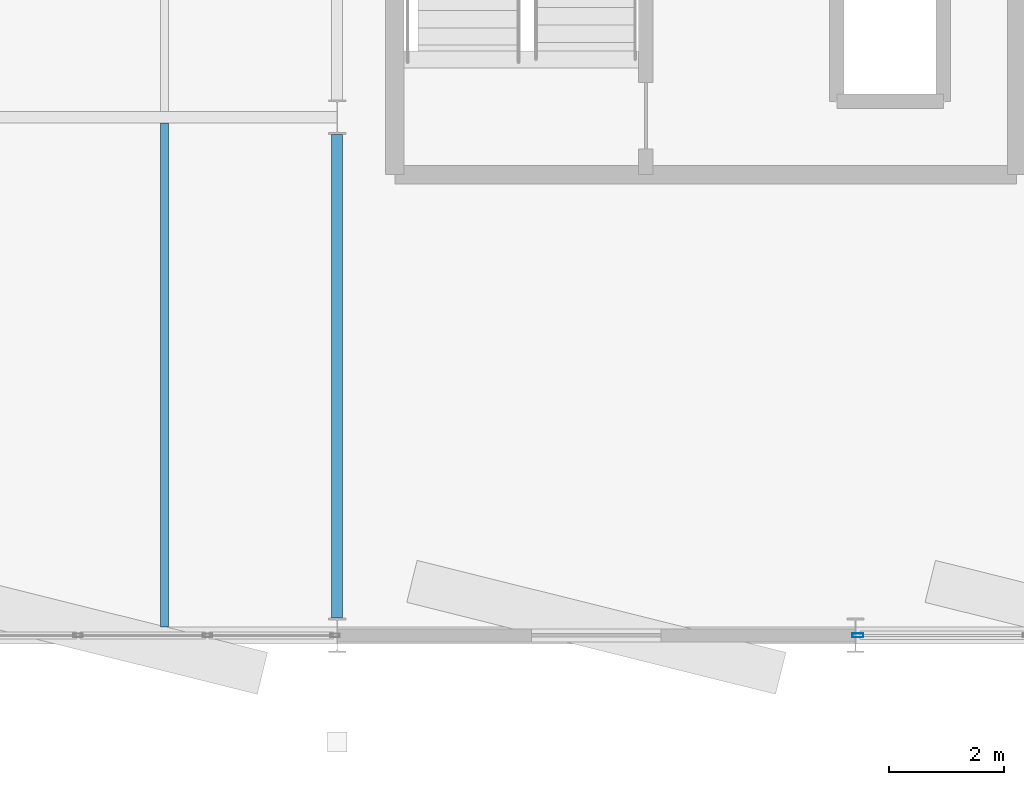
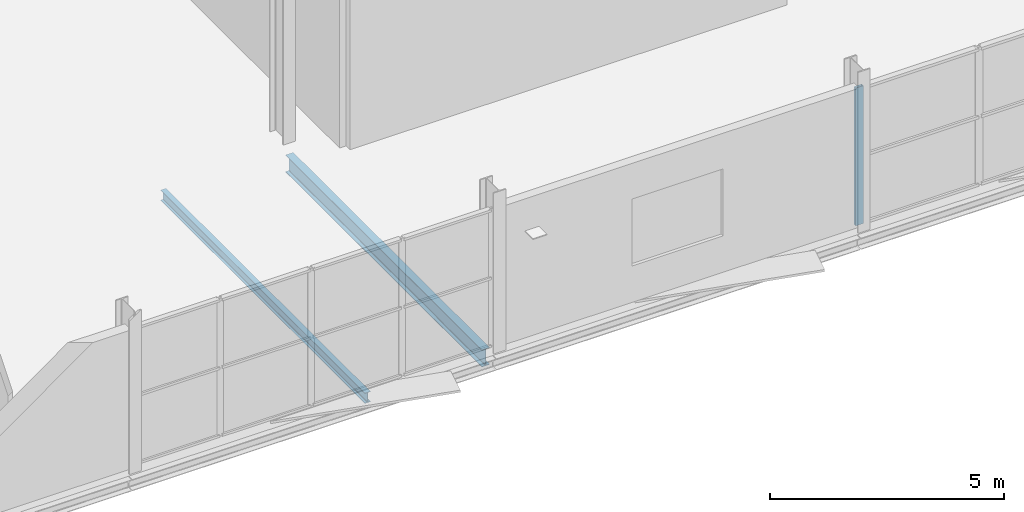
# One storey, part 46 of 88: 2 beams, 1 member, 1 element without a shape of its own.
"""IFC4 building model written with IfcOpenShell, lengths in metres."""

from ifc_helpers import new_model, si_unit, direction, frame, origin, origin_2d, place, context, subcontext, project, spatial, hollow_rectangle, i_section, extrude, material, layer, layer_set, material_profile, profile_set, type_object, element, aggregate, save


model = new_model("IFC4")

# Units and contexts
model_context = context("Model", 3, precision=1e-05, world=origin(), true_north=direction((0.0, 1.0)))
body_context = subcontext(model_context, "Body", "Model", "MODEL_VIEW")
ifc_project = project(units=[si_unit("LENGTHUNIT", "METRE"), si_unit("AREAUNIT", "SQUARE_METRE"), si_unit("VOLUMEUNIT", "CUBIC_METRE"), si_unit("PLANEANGLEUNIT", "RADIAN"), si_unit("MASSUNIT", "GRAM", prefix="KILO")], contexts=[model_context])

# Site, building, storey
site_placement = place(None, origin())
site = spatial("IfcSite", under=ifc_project, at=site_placement, CompositionType="ELEMENT")
building_placement = place(site_placement, origin())
building = spatial("IfcBuilding", under=site, at=building_placement, Name="Deido Ridge Mobility Hub", CompositionType="ELEMENT")
storey_placement = place(building_placement, frame((0.0, 0.0, 16.800048828125)))
storey = spatial("IfcBuildingStorey", under=building, at=storey_placement, Name="L04", CompositionType="ELEMENT", Elevation=16.800048828125)

# Beams
ifc_material_1 = material(Name="Steel S355J2 EN 10025-2", Category="steel")
ifc_material_profile_1 = material_profile(ifc_material_1, i_section(OverallWidth=0.18994140625, OverallDepth=0.449951171875, WebThickness=0.009521484375, FlangeThickness=0.0146484375, FilletRadius=0.02099609375, at=origin_2d()), Name="IPE 450")
ifc_profile_set_1 = profile_set([ifc_material_profile_1], Name="Steel S355J2 EN 10025-2")
beam_type_1 = type_object("IfcBeamType", Name="BM-IPE450", PredefinedType="BEAM", material=ifc_profile_set_1)
beam_1_placement = place(storey_placement, frame((162.0, 0.300048828125, -0.5), z_axis=(0.0, 1.0, 0.0), x_axis=(-1.0, 0.0, 0.0)))
element("IfcBeam", 1, at=beam_1_placement, inside=storey, type_object=beam_type_1, Name="Floor beam B4", PredefinedType="BEAM", context=body_context, shape_type="SweptSolid", body=[
    extrude(i_section(OverallWidth=0.18994140625, OverallDepth=0.449951171875, WebThickness=0.009521484375, FlangeThickness=0.0146484375, FilletRadius=0.02099609375, at=origin_2d()), origin(), (0.0, 0.0, 1.0), 8.39990234375),
])
ifc_material_profile_2 = material_profile(ifc_material_1, i_section(OverallWidth=0.135009765625, OverallDepth=0.27001953125, WebThickness=0.006591796875, FlangeThickness=0.01025390625, FilletRadius=0.014892578125, at=origin_2d()), Name="IPE 270")
ifc_profile_set_2 = profile_set([ifc_material_profile_2], Name="Steel S355J2 EN 10025-2")
beam_type_2 = type_object("IfcBeamType", Name="JST-IPE270", PredefinedType="JOIST", material=ifc_profile_set_2)
beam_2_placement = place(storey_placement, frame((159.0, 0.14990234375, -0.41015625), z_axis=(0.0, 1.0, 0.0), x_axis=(-1.0, 0.0, 0.0)))
element("IfcBeam", 2, at=beam_2_placement, inside=storey, type_object=beam_type_2, Name="Composite joist J4", PredefinedType="JOIST", context=body_context, shape_type="SweptSolid", body=[
    extrude(i_section(OverallWidth=0.135009765625, OverallDepth=0.27001953125, WebThickness=0.006591796875, FlangeThickness=0.01025390625, FilletRadius=0.014892578125, at=origin_2d()), origin(), (0.0, 0.0, 1.0), 8.75),
])

# Curtain wall, member
ifc_material_2 = material(Name="Anodised aluminium EN AW-6063 T6", Category="aluminium")
ifc_layer = layer(ifc_material_2, 0.22509765625, Name="Anodised aluminium EN AW-6063 T6")
ifc_layer_set = layer_set([ifc_layer], Name="Anodised aluminium EN AW-6063 T6")
curtain_wall_type = type_object("IfcCurtainWallType", Name="CW-UF-5", PredefinedType="USERDEFINED", material=ifc_layer_set)
curtain_wall_placement = place(storey_placement, origin())
curtain_wall = element("IfcCurtainWall", 3, at=curtain_wall_placement, inside=storey, type_object=curtain_wall_type, Name="Unitised curtain wall CW5", ObjectType="UNITISED FACADE", PredefinedType="USERDEFINED")
ifc_material_profile_3 = material_profile(ifc_material_2, hollow_rectangle(XDim=0.070068359375, YDim=0.18994140625, WallThickness=0.00390625, at=origin_2d()), Name="RHS 70x190x4")
ifc_profile_set_3 = profile_set([ifc_material_profile_3], Name="Anodised aluminium EN AW-6063 T6")
member_type = type_object("IfcMemberType", Name="MEM-MUL-70X190", PredefinedType="MULLION", material=ifc_profile_set_3)
member_placement = place(storey_placement, frame((171.042724609375, 0.0, 0.0), z_axis=(0.0, 0.0, 1.0), x_axis=(0.0, 1.0, 0.0)))
member = element("IfcMember", 4, at=member_placement, type_object=member_type, Name="CW5 mullion 1", PredefinedType="MULLION", context=body_context, shape_type="SweptSolid", body=[
    extrude(hollow_rectangle(XDim=0.070068359375, YDim=0.18994140625, WallThickness=0.00390625, at=origin_2d()), origin(), (0.0, 0.0, 1.0), 3.599853515625),
])
aggregate(curtain_wall, [member])

save(model, "model.ifc")
